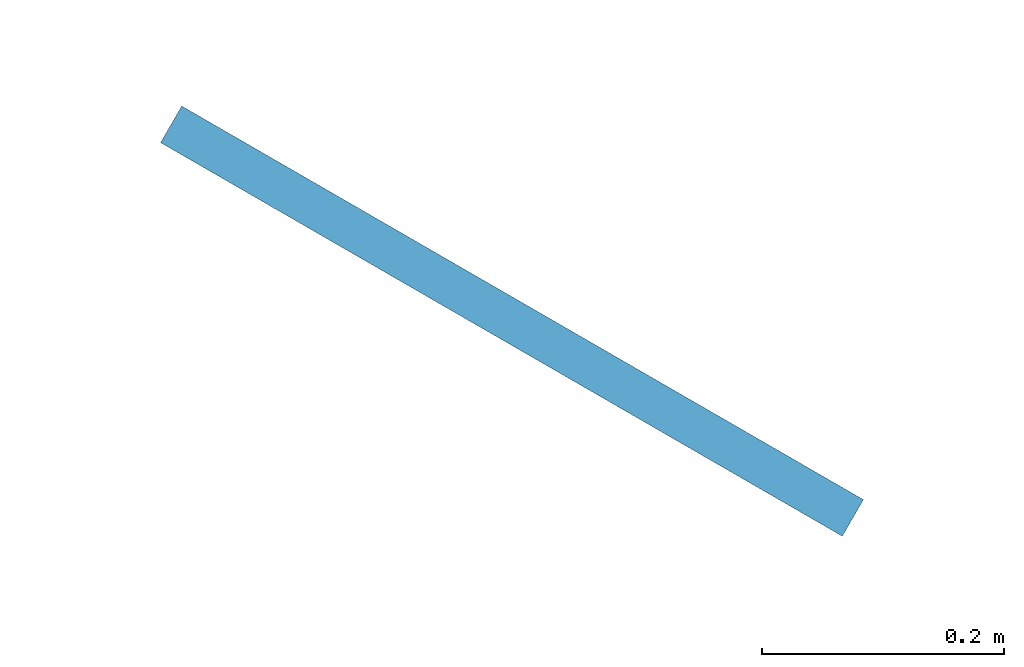
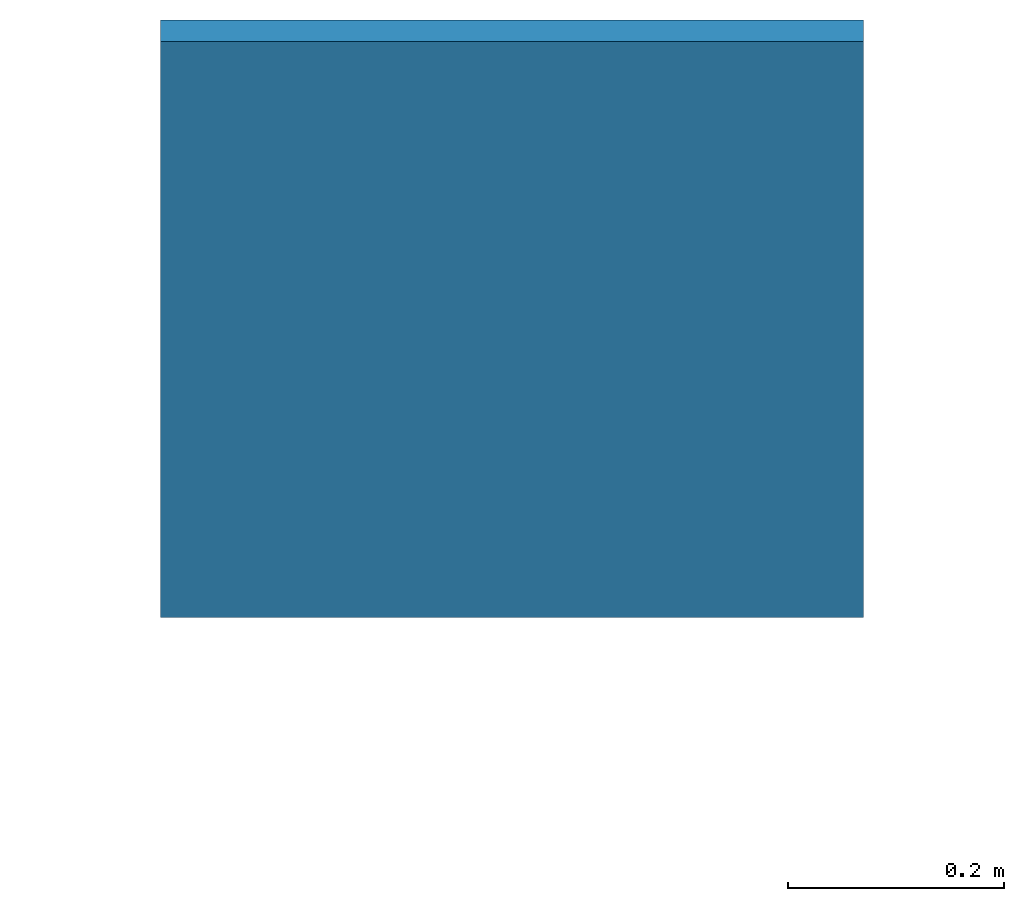
# One storey, part 20 of 25: 1 discrete accessory.
"""IFC4 building model written with IfcOpenShell, lengths in metres."""

from ifc_helpers import new_model, si_unit, direction, frame, origin, origin_2d, place, context, subcontext, project, spatial, rectangle, extrude, material, layer, layer_set, type_object, element, save


model = new_model("IFC4")

# Units and contexts
model_context = context("Model", 3, precision=1e-05, world=origin(), true_north=direction((0.0, 1.0)))
body_context = subcontext(model_context, "Body", "Model", "MODEL_VIEW")
ifc_project = project(units=[si_unit("LENGTHUNIT", "METRE"), si_unit("AREAUNIT", "SQUARE_METRE"), si_unit("VOLUMEUNIT", "CUBIC_METRE"), si_unit("PLANEANGLEUNIT", "RADIAN"), si_unit("MASSUNIT", "GRAM", prefix="KILO")], contexts=[model_context])

# Site, building, storey
site_placement = place(None, origin())
site = spatial("IfcSite", under=ifc_project, at=site_placement, CompositionType="ELEMENT")
building_placement = place(site_placement, origin())
building = spatial("IfcBuilding", under=site, at=building_placement, Name="Ayvan Gate Tower", CompositionType="ELEMENT")
storey_placement = place(building_placement, frame((0.0, 0.0, 132.5)))
storey = spatial("IfcBuildingStorey", under=building, at=storey_placement, Name="L35", CompositionType="ELEMENT", Elevation=132.5)

# Discrete accessory
ifc_material = material(Name="Steel S460ML", Category="steel")
ifc_layer = layer(ifc_material, 0.034912109375)
ifc_layer_set = layer_set([ifc_layer], Name="Steel S460ML")
discrete_accessory_type = type_object("IfcDiscreteAccessoryType", Name="Gusset plate 35 mm", PredefinedType="BRACKET", material=ifc_layer_set)
discrete_accessory_placement = place(storey_placement, frame((12.4853515625, 32.125244140625, 2.02490234375), z_axis=(0.0, 0.0, 1.0), x_axis=(-0.866025403784, 0.5, 0.0)))
element("IfcDiscreteAccessory", 1, at=discrete_accessory_placement, inside=storey, type_object=discrete_accessory_type, Name="Gusset plate EXO-B3-D2B", PredefinedType="BRACKET", context=body_context, shape_type="SweptSolid", body=[
    extrude(rectangle(XDim=0.650146484375, YDim=0.034912109375, at=origin_2d()), origin(), (0.0, 0.0, 1.0), 0.650146484375),
])

save(model, "model.ifc")
